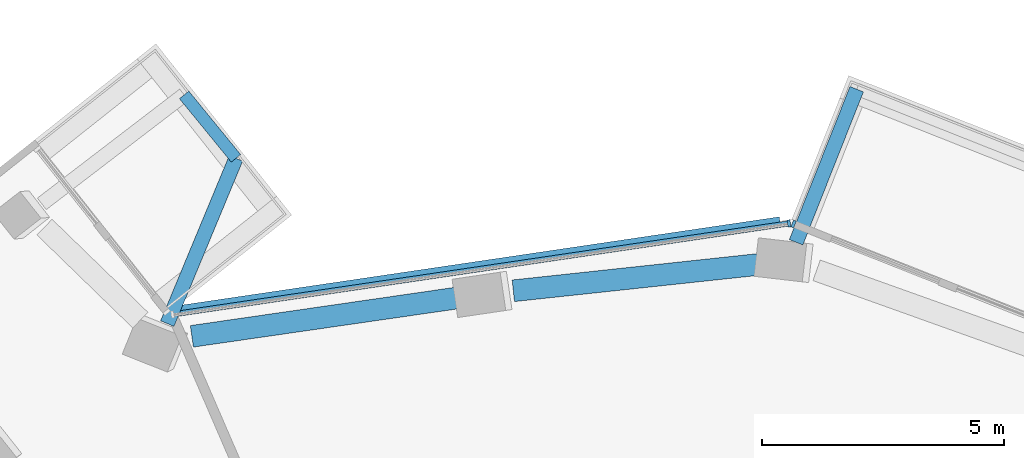
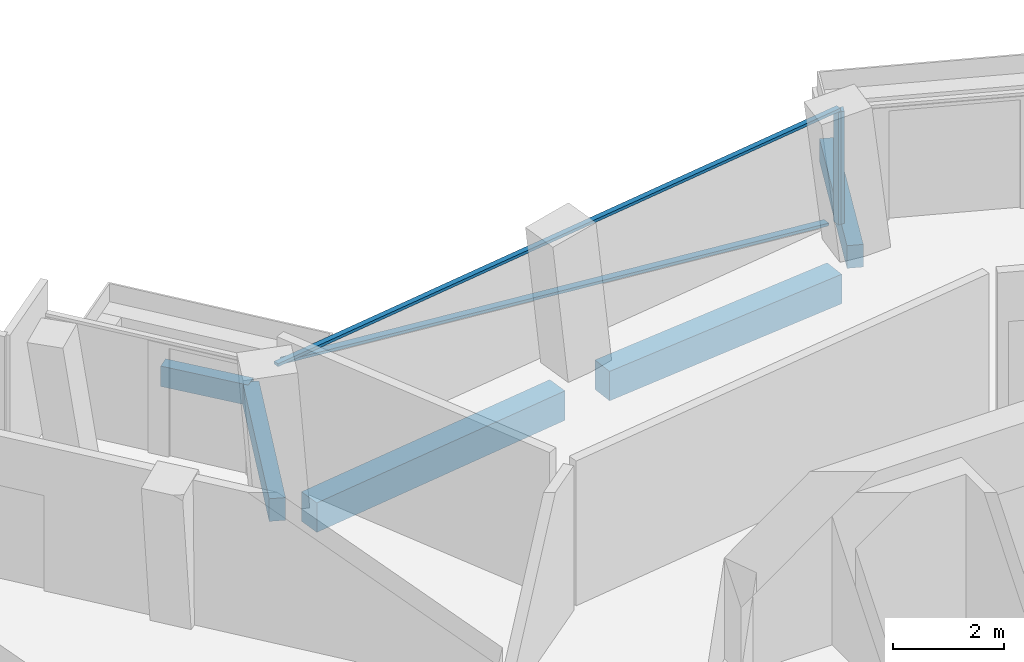
# One storey, part 7 of 21: 5 beams, 4 members, 2 elements without a shape of their own.
"""IFC4 building model written with IfcOpenShell, lengths in metres."""

from ifc_helpers import new_model, si_unit, direction, frame, origin, origin_2d, place, context, subcontext, project, spatial, rectangle, extrude, material, layer, layer_set, material_profile, profile_set, type_object, element, aggregate, save


model = new_model("IFC4")

# Units and contexts
model_context = context("Model", 3, precision=1e-05, world=origin(), true_north=direction((0.0, 1.0)))
body_context = subcontext(model_context, "Body", "Model", "MODEL_VIEW")
ifc_project = project(units=[si_unit("LENGTHUNIT", "METRE"), si_unit("AREAUNIT", "SQUARE_METRE"), si_unit("VOLUMEUNIT", "CUBIC_METRE"), si_unit("PLANEANGLEUNIT", "RADIAN"), si_unit("MASSUNIT", "GRAM", prefix="KILO")], contexts=[model_context])

# Site, building, storey
site_placement = place(None, origin())
site = spatial("IfcSite", under=ifc_project, at=site_placement, CompositionType="ELEMENT")
building_placement = place(site_placement, origin())
building = spatial("IfcBuilding", under=site, at=building_placement, Name="Verdalira Terraces Hotel", CompositionType="ELEMENT")
storey_placement = place(building_placement, frame((0.0, 0.0, 190.5)))
storey = spatial("IfcBuildingStorey", under=building, at=storey_placement, Name="L46", CompositionType="ELEMENT", Elevation=190.5)

# Beams
ifc_material_1 = material(Name="Concrete C40", Category="concrete")
ifc_material_profile_1 = material_profile(ifc_material_1, rectangle(XDim=0.300049, YDim=0.5, at=origin_2d()), Name="RC 300X500")
ifc_profile_set_1 = profile_set([ifc_material_profile_1], Name="Concrete C40")
beam_type_1 = type_object("IfcBeamType", Name="Balcony cantilever beam RC 300X500 C40", PredefinedType="BEAM", material=ifc_profile_set_1)
beam_1_placement = place(storey_placement, frame((-10.042236, 22.788818, -0.560059), z_axis=(0.383693632, 0.923460447, 0.0), x_axis=(-0.923460447, 0.383693632, 0.0)))
element("IfcBeam", 1, at=beam_1_placement, inside=storey, type_object=beam_type_1, Name="Balcony cantilever beam R00-1", PredefinedType="BEAM", context=body_context, shape_type="SweptSolid", body=[
    extrude(rectangle(XDim=0.300049, YDim=0.5, at=origin_2d()), origin(), (0.0, 0.0, 1.0), 3.705811),
])
beam_2_placement = place(storey_placement, frame((2.975342, 24.4729, -0.560059), z_axis=(0.368066511, 0.929799464, 0.0), x_axis=(-0.929799464, 0.368066511, 0.0)))
element("IfcBeam", 2, at=beam_2_placement, inside=storey, type_object=beam_type_1, Name="Balcony cantilever beam R39-5", PredefinedType="BEAM", context=body_context, shape_type="SweptSolid", body=[
    extrude(rectangle(XDim=0.300049, YDim=0.5, at=origin_2d()), origin(), (0.0, 0.0, 1.0), 3.408691),
])
ifc_material_2 = material(Name="Concrete C40", Category="concrete")
ifc_material_profile_2 = material_profile(ifc_material_2, rectangle(XDim=0.25, YDim=0.449951, at=origin_2d()), Name="RC 250X450")
ifc_profile_set_2 = profile_set([ifc_material_profile_2], Name="Concrete C40")
beam_type_2 = type_object("IfcBeamType", Name="Balcony edge beam RC 250X450 C40", PredefinedType="BEAM", material=ifc_profile_set_2)
beam_3_placement = place(storey_placement, frame((-8.620361, 26.210938, -0.534912), z_axis=(-0.632720235, 0.774380465, 0.0), x_axis=(-0.774380465, -0.632720235, 0.0)))
element("IfcBeam", 3, at=beam_3_placement, inside=storey, type_object=beam_type_2, Name="Balcony edge beam R00-1", PredefinedType="BEAM", context=body_context, shape_type="SweptSolid", body=[
    extrude(rectangle(XDim=0.25, YDim=0.449951, at=origin_2d()), origin(), (0.0, 0.0, 1.0), 1.695801),
])

# Curtain wall, member
ifc_material_3 = material(Name="Clear glass", Category="glass")
ifc_layer = layer(ifc_material_3, 0.14990234375)
ifc_layer_set = layer_set([ifc_layer], Name="CW1 curtain wall")
curtain_wall_type = type_object("IfcCurtainWallType", Name="CW1 curtain wall", PredefinedType="NOTDEFINED", material=ifc_layer_set)
curtain_wall_1_placement = place(storey_placement, origin())
curtain_wall_1 = element("IfcCurtainWall", 4, at=curtain_wall_1_placement, inside=storey, type_object=curtain_wall_type, Name="CW1 curtain wall L46 edge 40", PredefinedType="NOTDEFINED")
ifc_material_4 = material(Name="Terracotta frame", Category="masonry")
ifc_material_profile_3 = material_profile(ifc_material_4, rectangle(XDim=0.060059, YDim=0.149902, at=origin_2d()), Name="MU 60x150")
ifc_profile_set_3 = profile_set([ifc_material_profile_3], Name="Terracotta frame")
member_type_1 = type_object("IfcMemberType", Name="CW1 mullion 60x150", PredefinedType="MULLION", material=ifc_profile_set_3)
member_1_placement = place(storey_placement, frame((2.924072, 24.852051, 0.0), z_axis=(0.0, 0.0, 1.0), x_axis=(-0.929776486, 0.368124553, 0.0)))
member_1 = element("IfcMember", 5, at=member_1_placement, type_object=member_type_1, Name="CW1 mullion", PredefinedType="MULLION", context=body_context, shape_type="SweptSolid", body=[
    extrude(rectangle(XDim=0.060059, YDim=0.149902, at=origin_2d()), origin(), (0.0, 0.0, 1.0), 2.475098),
])
aggregate(curtain_wall_1, [member_1])

# Curtain wall, members
curtain_wall_2_placement = place(storey_placement, origin())
curtain_wall_2 = element("IfcCurtainWall", 6, at=curtain_wall_2_placement, inside=storey, type_object=curtain_wall_type, Name="CW1 curtain wall L46 edge 41", PredefinedType="NOTDEFINED")
member_2_placement = place(storey_placement, frame((2.828125, 24.863281, 0.0), z_axis=(0.0, 0.0, 1.0), x_axis=(-0.989272333, -0.146083029, 0.0)))
member_2 = element("IfcMember", 7, at=member_2_placement, type_object=member_type_1, Name="CW1 mullion", PredefinedType="MULLION", context=body_context, shape_type="SweptSolid", body=[
    extrude(rectangle(XDim=0.060059, YDim=0.149902, at=origin_2d()), origin(), (0.0, 0.0, 1.0), 2.475098),
])
ifc_material_5 = material(Name="Terracotta frame", Category="masonry")
ifc_material_profile_4 = material_profile(ifc_material_5, rectangle(XDim=0.110107, YDim=0.064941, at=origin_2d()), Name="TR 65x110")
ifc_profile_set_4 = profile_set([ifc_material_profile_4], Name="Terracotta frame")
member_type_2 = type_object("IfcMemberType", Name="CW1 transom 65x110", PredefinedType="USERDEFINED", material=ifc_profile_set_4)
member_3_placement = place(storey_placement, frame((2.857666, 24.867676, 2.507568), z_axis=(-0.989271225, -0.146090535, 0.0), x_axis=(0.146090535, -0.989271225, 0.0)))
member_3 = element("IfcMember", 8, at=member_3_placement, type_object=member_type_2, Name="CW1 transom", ObjectType="TRANSOM", PredefinedType="USERDEFINED", context=body_context, shape_type="SweptSolid", body=[
    extrude(rectangle(XDim=0.110107, YDim=0.064941, at=origin_2d()), origin(), (0.0, 0.0, 1.0), 12.959961),
])
ifc_material_6 = material(Name="Terracotta frame", Category="masonry")
ifc_material_profile_5 = material_profile(ifc_material_6, rectangle(XDim=0.149902, YDim=0.060059, at=origin_2d()), Name="GB 60x150")
ifc_profile_set_5 = profile_set([ifc_material_profile_5], Name="Terracotta frame")
member_type_3 = type_object("IfcMemberType", Name="Diagonal glazing bar 60x150", PredefinedType="USERDEFINED", material=ifc_profile_set_5)
member_4_placement = place(storey_placement, frame((2.632324, 24.924316, 0.029785), z_axis=(-0.971390464, -0.143449122, 0.189269427), x_axis=(0.146089664, -0.989271353, 0.0)))
member_4 = element("IfcMember", 9, at=member_4_placement, type_object=member_type_3, Name="Diagonal glazing bar", ObjectType="GLAZING BAR", PredefinedType="USERDEFINED", context=body_context, shape_type="SweptSolid", body=[
    extrude(rectangle(XDim=0.149902, YDim=0.060059, at=origin_2d()), origin(), (0.0, 0.0, 1.0), 12.760986),
])
aggregate(curtain_wall_2, [member_2, member_3, member_4])

# Beams
ifc_material_7 = material(Name="Concrete C50", Category="concrete")
ifc_material_profile_6 = material_profile(ifc_material_7, rectangle(XDim=0.449951, YDim=0.649902, at=origin_2d()), Name="RC 450X650")
ifc_profile_set_6 = profile_set([ifc_material_profile_6], Name="Concrete C50")
beam_type_3 = type_object("IfcBeamType", Name="Spandrel beam RC 450X650 C50", PredefinedType="SPANDREL", material=ifc_profile_set_6)
beam_4_placement = place(storey_placement, frame((2.283691, 24.022949, -0.63501), z_axis=(-0.994286896, -0.10674066, 0.0), x_axis=(0.10674066, -0.994286896, 0.0)))
element("IfcBeam", 10, at=beam_4_placement, inside=storey, type_object=beam_type_3, Name="Spandrel beam B22", PredefinedType="SPANDREL", context=body_context, shape_type="SweptSolid", body=[
    extrude(rectangle(XDim=0.449951, YDim=0.649902, at=origin_2d()), origin(), (0.0, 0.0, 1.0), 5.191895),
])
beam_5_placement = place(storey_placement, frame((-3.88501, 23.342041, -0.63501), z_axis=(-0.989713689, -0.143062271, 0.0), x_axis=(0.143062271, -0.989713689, 0.0)))
element("IfcBeam", 11, at=beam_5_placement, inside=storey, type_object=beam_type_3, Name="Spandrel beam B23", PredefinedType="SPANDREL", context=body_context, shape_type="SweptSolid", body=[
    extrude(rectangle(XDim=0.449951, YDim=0.649902, at=origin_2d()), origin(), (0.0, 0.0, 1.0), 5.706543),
])

save(model, "model.ifc")
